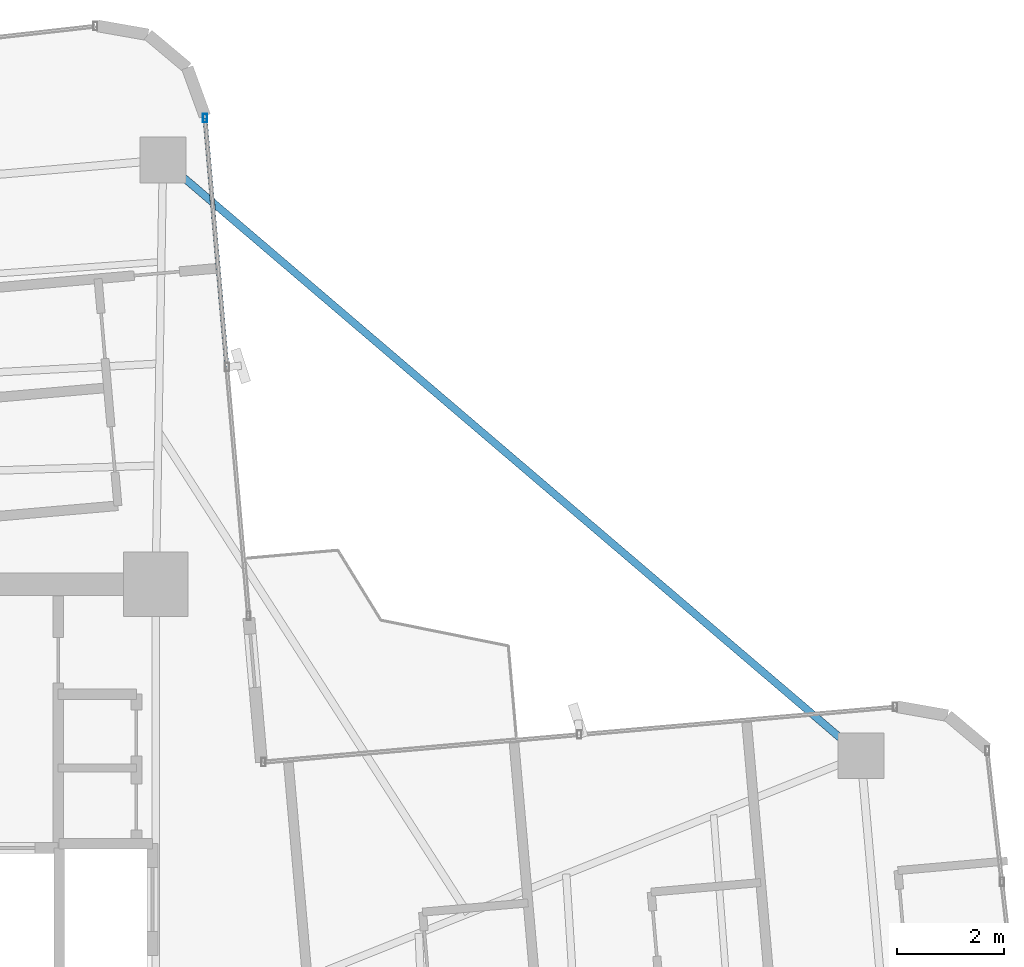
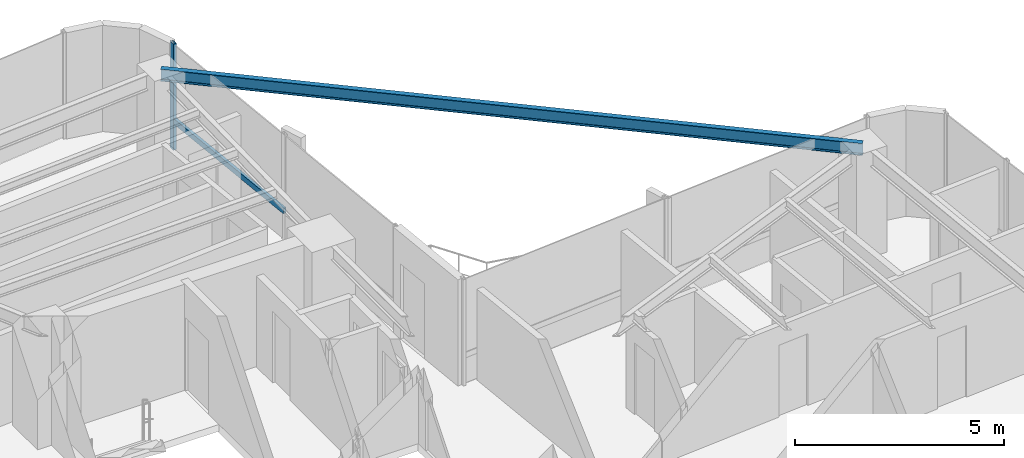
# One storey, part 17 of 24: 2 members, 1 beam, 1 element without a shape of its own.
"""IFC4 building model written with IfcOpenShell, lengths in metres."""

from ifc_helpers import new_model, si_unit, direction, frame, origin, origin_2d, place, context, subcontext, project, spatial, hollow_rectangle, i_section, extrude, source, transform, mapped, material, material_profile, profile_set, type_object, element, aggregate, save


model = new_model("IFC4")

# Units and contexts
model_context = context("Model", 3, precision=1e-05, world=origin(), true_north=direction((0.0, 1.0)))
body_context = subcontext(model_context, "Body", "Model", "MODEL_VIEW")
ifc_project = project(units=[si_unit("LENGTHUNIT", "METRE"), si_unit("AREAUNIT", "SQUARE_METRE"), si_unit("VOLUMEUNIT", "CUBIC_METRE"), si_unit("PLANEANGLEUNIT", "RADIAN"), si_unit("MASSUNIT", "GRAM", prefix="KILO")], contexts=[model_context])

# Site, building, storey
site_placement = place(None, origin())
site = spatial("IfcSite", under=ifc_project, at=site_placement, CompositionType="ELEMENT")
building_placement = place(site_placement, origin())
building = spatial("IfcBuilding", under=site, at=building_placement, Name="Sahyath Konkavel Grand Hotel", CompositionType="ELEMENT")
storey_placement = place(building_placement, frame((0.0, 0.0, 191.949951171875)))
storey = spatial("IfcBuildingStorey", under=building, at=storey_placement, Name="L53", CompositionType="ELEMENT", Elevation=191.949951171875)

# Beam
ifc_material_1 = material(Name="Steel E350", Category="steel")
ifc_material_profile_1 = material_profile(ifc_material_1, i_section(OverallWidth=0.139892578125, OverallDepth=0.35009765625, WebThickness=0.008056640625, FlangeThickness=0.01416015625, FilletRadius=0.013916015625, at=origin_2d()), Name="ISMB 350")
ifc_profile_set_1 = profile_set([ifc_material_profile_1], Name="Steel E350")
beam_type = type_object("IfcBeamType", Name="BM-ISMB350", PredefinedType="BEAM", material=ifc_profile_set_1)
shared_shape_1 = source(origin(), body_context, "Body", "SweptSolid", [
    extrude(i_section(OverallWidth=0.139892578125, OverallDepth=0.35009765625, WebThickness=0.008056640625, FlangeThickness=0.01416015625, FilletRadius=0.013916015625, at=origin_2d()), origin(), (0.0, 0.0, 1.0), 17.11279296875),
])
beam_placement = place(storey_placement, frame((16.9541015625, 7.00439453125, 2.93505859375), z_axis=(-0.760711911164, 0.649089661151, 0.0), x_axis=(-0.649089661151, -0.760711911164, 0.0)))
element("IfcBeam", 1, at=beam_placement, inside=storey, type_object=beam_type, Name="L53 Re-Entrant Tie Beam NE", PredefinedType="BEAM", context=body_context, shape_type="MappedRepresentation", body=[
    mapped(shared_shape_1, transform((0.0, 0.0, 0.0), scale=1.0)),
])

# Curtain wall, members
ifc_material_2 = material(Name="Anodised Bronze Aluminium & Low-E Glazing", Category="aluminium")
curtain_wall_type = type_object("IfcCurtainWallType", Name="CW-ZONE3", PredefinedType="NOTDEFINED", material=ifc_material_2)
curtain_wall_placement = place(storey_placement, origin())
curtain_wall = element("IfcCurtainWall", 2, at=curtain_wall_placement, inside=storey, type_object=curtain_wall_type, Name="L53 Unitised Curtain Wall F8", PredefinedType="NOTDEFINED")
ifc_material_3 = material(Name="Anodised Bronze Aluminium", Category="aluminium")
ifc_material_profile_2 = material_profile(ifc_material_3, hollow_rectangle(XDim=0.080078125, YDim=0.159912109375, WallThickness=0.006103515625, at=origin_2d()), Name="RHS 160x80x6")
ifc_profile_set_2 = profile_set([ifc_material_profile_2], Name="Anodised Bronze Aluminium")
member_type_1 = type_object("IfcMemberType", Name="CW-MUL-160", PredefinedType="MULLION", material=ifc_profile_set_2)
shared_shape_2 = source(origin(), body_context, "Body", "SweptSolid", [
    extrude(hollow_rectangle(XDim=0.080078125, YDim=0.159912109375, WallThickness=0.006103515625, at=origin_2d()), origin(), (0.0, 0.0, 1.0), 3.110107421875),
])
member_1_placement = place(storey_placement, frame((4.72119140625, 18.893310546875, 0.0), z_axis=(0.0, 0.0, 1.0), x_axis=(1.0, 0.0, 0.0)))
member_1 = element("IfcMember", 3, at=member_1_placement, type_object=member_type_1, Name="L53 Curtain Wall Mullion F8-2", PredefinedType="MULLION", context=body_context, shape_type="MappedRepresentation", body=[
    mapped(shared_shape_2, transform((0.0, 0.0, 0.0), scale=1.0)),
])
ifc_material_profile_3 = material_profile(ifc_material_3, hollow_rectangle(XDim=0.080078125, YDim=0.159912109375, WallThickness=0.006103515625, at=origin_2d()), Name="RHS 160x80x6")
ifc_profile_set_3 = profile_set([ifc_material_profile_3], Name="Anodised Bronze Aluminium")
member_type_2 = type_object("IfcMemberType", Name="CW-TRN-160", PredefinedType="USERDEFINED", material=ifc_profile_set_3)
shared_shape_3 = source(origin(), body_context, "Body", "SweptSolid", [
    extrude(hollow_rectangle(XDim=0.080078125, YDim=0.159912109375, WallThickness=0.006103515625, at=origin_2d()), origin(), (0.0, 0.0, 1.0), 4.659912109375),
])
member_2_placement = place(storey_placement, frame((5.12744140625, 14.251220703125, 0.85009765625), z_axis=(-0.087181248758, 0.996192466276, 0.0), x_axis=(-0.996192466276, -0.087181248758, 0.0)))
member_2 = element("IfcMember", 4, at=member_2_placement, type_object=member_type_2, Name="L53 Curtain Wall Transom F8-1-spandrel", ObjectType="TRANSOM", PredefinedType="USERDEFINED", context=body_context, shape_type="MappedRepresentation", body=[
    mapped(shared_shape_3, transform((0.0, 0.0, 0.0), scale=1.0)),
])
aggregate(curtain_wall, [member_1, member_2])

save(model, "model.ifc")
